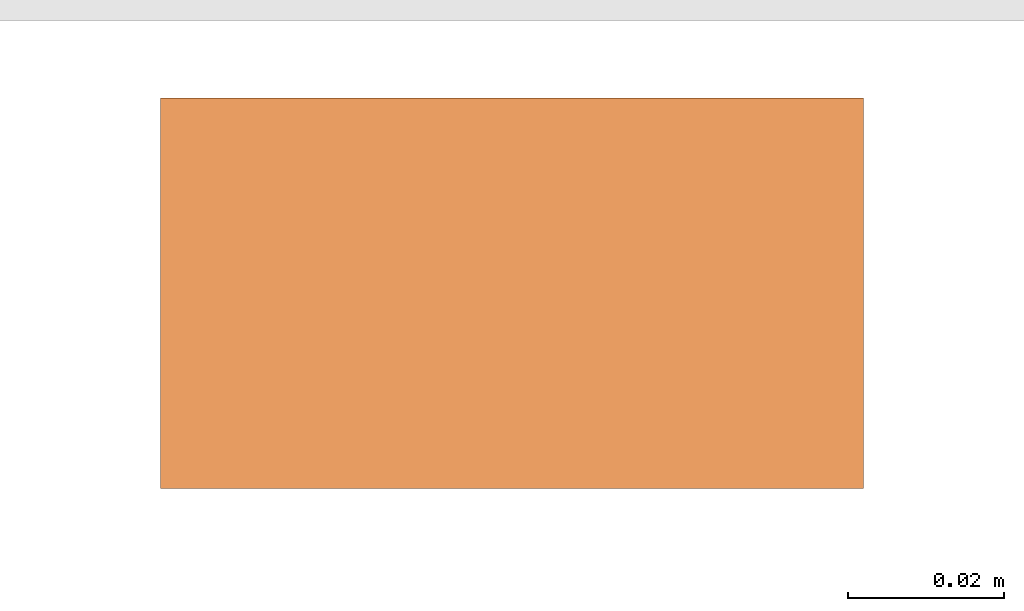
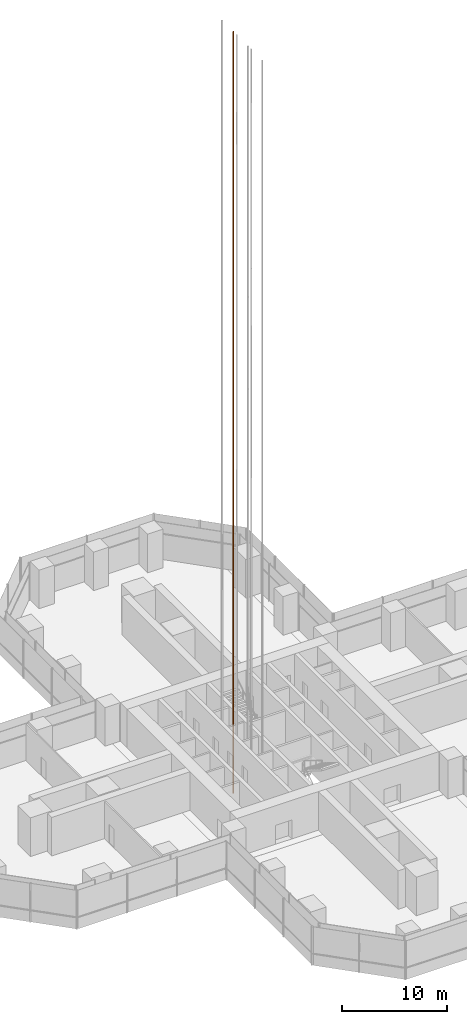
# One storey, part 26 of 27: 1 proxy.
"""IFC4 building model written with IfcOpenShell, lengths in metres."""

from ifc_helpers import new_model, si_unit, direction, frame, origin, origin_2d, place, context, subcontext, project, spatial, rectangle, extrude, material, element, save


model = new_model("IFC4")

# Units and contexts
model_context = context("Model", 3, precision=1e-05, world=origin(), true_north=direction((0.0, 1.0)))
body_context = subcontext(model_context, "Body", "Model", "MODEL_VIEW")
ifc_project = project(units=[si_unit("LENGTHUNIT", "METRE"), si_unit("AREAUNIT", "SQUARE_METRE"), si_unit("VOLUMEUNIT", "CUBIC_METRE"), si_unit("PLANEANGLEUNIT", "RADIAN"), si_unit("MASSUNIT", "GRAM", prefix="KILO")], contexts=[model_context])

# Site, building, storey
site_placement = place(None, origin())
site = spatial("IfcSite", under=ifc_project, at=site_placement, CompositionType="ELEMENT")
building_placement = place(site_placement, origin())
building = spatial("IfcBuilding", under=site, at=building_placement, Name="Mizan Broadcast Tower", CompositionType="ELEMENT")
storey_placement = place(building_placement, frame((0.0, 0.0, 113.699951171875)))
storey = spatial("IfcBuildingStorey", under=building, at=storey_placement, Name="L25", CompositionType="ELEMENT", Elevation=113.699951171875)

# Proxy
ifc_material = material(Name="Steel guide rail", Category="steel")
proxy_placement = place(storey_placement, frame((-3.324951171875, 3.090087890625, -3.89990234375), z_axis=(0.0, 0.0, 1.0), x_axis=(1.0, 0.0, 0.0)))
element("IfcBuildingElementProxy", 1, at=proxy_placement, inside=storey, material=ifc_material, Name="Guide rail LB3-1", PredefinedType="NOTDEFINED", context=body_context, shape_type="SweptSolid", body=[
    extrude(rectangle(XDim=0.090087890625, YDim=0.050048828125, at=origin_2d()), origin(), (0.0, 0.0, 1.0), 88.8701171875),
])

save(model, "model.ifc")
